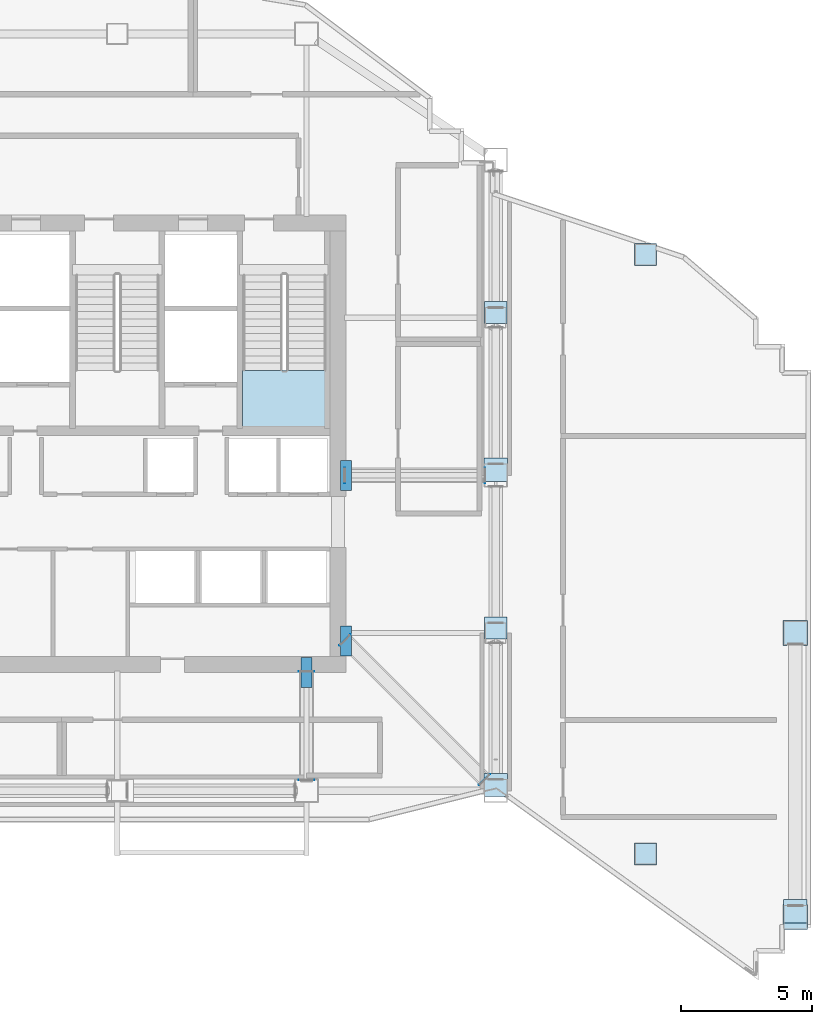
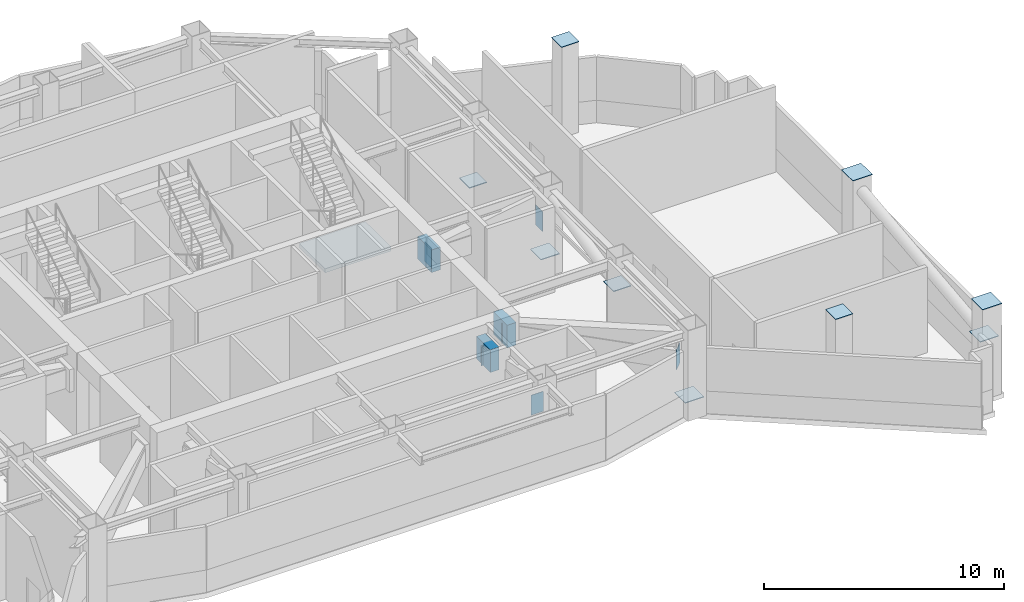
# One storey, part 5 of 19: 18 plates, 1 slab, 1 element without a shape of its own.
"""IFC4 building model written with IfcOpenShell, lengths in metres."""

from ifc_helpers import new_model, si_unit, direction, frame, origin, origin_2d, place, context, subcontext, project, spatial, polyline, rectangle, outline, extrude, material, layer, layer_set, type_object, element, aggregate, save


model = new_model("IFC4")

# Units and contexts
model_context = context("Model", 3, precision=1e-05, world=origin(), true_north=direction((0.0, 1.0)))
body_context = subcontext(model_context, "Body", "Model", "MODEL_VIEW")
ifc_project = project(units=[si_unit("LENGTHUNIT", "METRE"), si_unit("AREAUNIT", "SQUARE_METRE"), si_unit("VOLUMEUNIT", "CUBIC_METRE"), si_unit("PLANEANGLEUNIT", "RADIAN"), si_unit("MASSUNIT", "GRAM", prefix="KILO")], contexts=[model_context])

# Site, building, storey
site_placement = place(None, origin())
site = spatial("IfcSite", under=ifc_project, at=site_placement, CompositionType="ELEMENT")
building_placement = place(site_placement, origin())
building = spatial("IfcBuilding", under=site, at=building_placement, Name="Haolan Belvedere Tower", CompositionType="ELEMENT")
storey_placement = place(building_placement, frame((0.0, 0.0, 230.60009765625)))
storey = spatial("IfcBuildingStorey", under=building, at=storey_placement, Name="L58", CompositionType="ELEMENT", Elevation=230.60009765625)

# Plates
ifc_material_1 = material(Name="Steel Q355B", Category="steel")
ifc_layer_1 = layer(ifc_material_1, 0.02490234375, Name="Steel Q355B")
ifc_layer_set_1 = layer_set([ifc_layer_1], Name="Steel Q355B")
plate_type_1 = type_object("IfcPlateType", Name="PL-CAP-25", PredefinedType="SHEET", material=ifc_layer_set_1)
for number, where, z_axis, x_axis, name in (
    (1, (64.199951171875, 16.800048828125, 4.599853515625), (0.0, 0.0, 1.0), (1.0, 0.0, 0.0), "Hollow steel end-cap plate COL-L58-MC-T4-SE-TCAP"),
    (2, (64.199951171875, 27.60009765625, 4.599853515625), (0.0, 0.0, 1.0), (1.0, 0.0, 0.0), "Hollow steel end-cap plate COL-L58-MC-T4-ME-TCAP"),
):
    element("IfcPlate", number, at=place(storey_placement, frame(where, z_axis=z_axis, x_axis=x_axis)), inside=storey, type_object=plate_type_1, Name=name, PredefinedType="SHEET", context=body_context, shape_type="SweptSolid", body=[
        extrude(rectangle(XDim=0.93994140625, YDim=0.93994140625, at=origin_2d()), origin(), (0.0, 0.0, 1.0), 0.02490234375),
    ])
for number, where, z_axis, x_axis, name in (
    (3, (58.5, 19.199951171875, 4.599853515625), (0.0, 0.0, 1.0), (1.0, 0.0, 0.0), "Hollow steel end-cap plate COL-L58-TC-T4-S1-TCAP"),
    (4, (58.5, 42.0, 4.599853515625), (0.0, 0.0, 1.0), (1.0, 0.0, 0.0), "Hollow steel end-cap plate COL-L58-TC-T4-N1-TCAP"),
):
    element("IfcPlate", number, at=place(storey_placement, frame(where, z_axis=z_axis, x_axis=x_axis)), inside=storey, type_object=plate_type_1, Name=name, PredefinedType="SHEET", context=body_context, shape_type="SweptSolid", body=[
        extrude(rectangle(XDim=0.840087890625, YDim=0.840087890625, at=origin_2d()), origin(), (0.0, 0.0, 1.0), 0.02490234375),
    ])
for number, where, z_axis, x_axis, name in (
    (5, (47.0576171875, 33.60009765625, 2.27490234375), (0.0, 0.0, 1.0), (0.0, -1.0, 0.0), "Hollow steel end-cap plate OR-E1-L58-BC-CAP0"),
    (6, (52.392578125, 33.60009765625, 2.27490234375), (0.0, 0.0, 1.0), (0.0, 1.0, 0.0), "Hollow steel end-cap plate OR-E1-L58-BC-CAP1"),
    (7, (47.070068359375, 27.330078125, 2.27490234375), (0.0, 0.0, 1.0), (-0.707106781187, -0.707106781187, 0.0), "Hollow steel end-cap plate OR-E2-L58-BC-CAP0"),
    (8, (52.380126953125, 22.02001953125, 2.27490234375), (0.0, 0.0, 1.0), (0.707106781187, 0.707106781187, 0.0), "Hollow steel end-cap plate OR-E2-L58-BC-CAP1"),
    (9, (45.60009765625, 26.142578125, 2.27490234375), (0.0, 0.0, 1.0), (-1.0, 0.0, 0.0), "Hollow steel end-cap plate OR-S2-L58-BC-CAP0"),
    (10, (45.60009765625, 22.007568359375, 2.27490234375), (0.0, 0.0, 1.0), (1.0, 0.0, 0.0), "Hollow steel end-cap plate OR-S2-L58-BC-CAP1"),
):
    element("IfcPlate", number, at=place(storey_placement, frame(where, z_axis=z_axis, x_axis=x_axis)), inside=storey, type_object=plate_type_1, Name=name, PredefinedType="SHEET", context=body_context, shape_type="SweptSolid", body=[
        extrude(rectangle(XDim=0.590087890625, YDim=0.02490234375, at=origin_2d()), origin(), (0.0, 0.0, 1.0), 1.010009765625),
    ])
ifc_material_2 = material(Name="Steel Q420GJC", Category="steel")
ifc_layer_2 = layer(ifc_material_2, 0.0400390625, Name="Steel Q420GJC")
ifc_layer_set_2 = layer_set([ifc_layer_2], Name="Steel Q420GJC")
plate_type_2 = type_object("IfcPlateType", Name="PL-NODE-NP02", PredefinedType="USERDEFINED", material=ifc_layer_set_2)
for number, where, z_axis, x_axis, name in (
    (11, (47.10009765625, 33.60009765625, 2.27490234375), (0.0, 0.0, 1.0), (1.0, 0.0, 0.0), "NP-02 outrigger truss core-wall cast-in node plate L58 OR-E1"),
    (12, (47.10009765625, 27.300048828125, 2.27490234375), (0.0, 0.0, 1.0), (1.0, 0.0, 0.0), "NP-02 outrigger truss core-wall cast-in node plate L58 OR-E2"),
    (13, (45.60009765625, 26.10009765625, 2.27490234375), (0.0, 0.0, 1.0), (1.0, 0.0, 0.0), "NP-02 outrigger truss core-wall cast-in node plate L58 OR-S2"),
):
    element("IfcPlate", number, at=place(storey_placement, frame(where, z_axis=z_axis, x_axis=x_axis)), inside=storey, type_object=plate_type_2, Name=name, ObjectType="GUSSET", PredefinedType="USERDEFINED", context=body_context, shape_type="SweptSolid", body=[
        extrude(rectangle(XDim=0.419921875, YDim=1.14990234375, at=origin_2d()), origin(), (0.0, 0.0, 1.0), 1.14990234375),
    ])
ifc_material_3 = material(Name="Steel Q390GJC", Category="steel")
ifc_layer_3 = layer(ifc_material_3, 0.035888671875, Name="Steel Q390GJC")
ifc_layer_set_3 = layer_set([ifc_layer_3], Name="Steel Q390GJC")
plate_type_3 = type_object("IfcPlateType", Name="PL-NODE-NP03", PredefinedType="USERDEFINED", material=ifc_layer_set_3)
plate_1_placement = place(storey_placement, frame((52.800048828125, 21.820068359375, 0.78173828125), z_axis=(0.0, 0.0, 1.0), x_axis=(1.0, 0.0, 0.0)))
element("IfcPlate", 14, at=plate_1_placement, inside=storey, type_object=plate_type_3, Name="NP-03 belt truss node plate L58 BT-E1", ObjectType="GUSSET", PredefinedType="USERDEFINED", context=body_context, shape_type="SweptSolid", body=[
    extrude(rectangle(XDim=0.889892578125, YDim=0.889892578125, at=origin_2d()), origin(), (0.0, 0.0, 1.0), 0.035888671875),
])
plate_2_placement = place(storey_placement, frame((52.800048828125, 27.794921875, 2.8017578125), z_axis=(0.0, 0.0, 1.0), x_axis=(1.0, 0.0, 0.0)))
element("IfcPlate", 15, at=plate_2_placement, inside=storey, type_object=plate_type_3, Name="NP-03 belt truss node plate L58 BT-E2", ObjectType="GUSSET", PredefinedType="USERDEFINED", context=body_context, shape_type="SweptSolid", body=[
    extrude(rectangle(XDim=0.840087890625, YDim=0.840087890625, at=origin_2d()), origin(), (0.0, 0.0, 1.0), 0.035888671875),
])
plate_3_placement = place(storey_placement, frame((52.800048828125, 33.820068359375, 0.78173828125), z_axis=(0.0, 0.0, 1.0), x_axis=(1.0, 0.0, 0.0)))
element("IfcPlate", 16, at=plate_3_placement, inside=storey, type_object=plate_type_3, Name="NP-03 belt truss node plate L58 BT-E3", ObjectType="GUSSET", PredefinedType="USERDEFINED", context=body_context, shape_type="SweptSolid", body=[
    extrude(rectangle(XDim=0.889892578125, YDim=0.889892578125, at=origin_2d()), origin(), (0.0, 0.0, 1.0), 0.035888671875),
])
plate_4_placement = place(storey_placement, frame((52.800048828125, 39.794921875, 0.78173828125), z_axis=(0.0, 0.0, 1.0), x_axis=(1.0, 0.0, 0.0)))
element("IfcPlate", 17, at=plate_4_placement, inside=storey, type_object=plate_type_3, Name="NP-03 belt truss node plate L58 BT-E4", ObjectType="GUSSET", PredefinedType="USERDEFINED", context=body_context, shape_type="SweptSolid", body=[
    extrude(rectangle(XDim=0.840087890625, YDim=0.840087890625, at=origin_2d()), origin(), (0.0, 0.0, 1.0), 0.035888671875),
])
plate_5_placement = place(storey_placement, frame((64.199951171875, 17.02001953125, 2.8017578125), z_axis=(0.0, 0.0, 1.0), x_axis=(1.0, 0.0, 0.0)))
element("IfcPlate", 18, at=plate_5_placement, inside=storey, type_object=plate_type_3, Name="NP-03 belt truss node plate L58 BT-T4", ObjectType="GUSSET", PredefinedType="USERDEFINED", context=body_context, shape_type="SweptSolid", body=[
    extrude(rectangle(XDim=0.889892578125, YDim=0.889892578125, at=origin_2d()), origin(), (0.0, 0.0, 1.0), 0.035888671875),
])

# Stair, slab
ifc_material_4 = material(Name="Concrete C40/50", Category="concrete")
stair_type = type_object("IfcStairType", Name="STR-DL-28R-164", PredefinedType="HALF_TURN_STAIR", material=ifc_material_4)
stair_placement = place(storey_placement, origin())
stair = element("IfcStair", 19, at=stair_placement, inside=storey, type_object=stair_type, Name="L58 Smokeproof Core Exit Stair ST2", PredefinedType="HALF_TURN_STAIR")
ifc_layer_4 = layer(ifc_material_4, 0.199951171875, Name="Concrete C40/50")
ifc_layer_set_4 = layer_set([ifc_layer_4], Name="Concrete C40/50")
slab_type = type_object("IfcSlabType", Name="SL-LAND-200", PredefinedType="LANDING", material=ifc_layer_set_4)
slab_placement = place(storey_placement, frame((0.0, 0.0, 2.099853515625)))
slab = element("IfcSlab", 20, at=slab_placement, type_object=slab_type, Name="ST2 landing 1", PredefinedType="LANDING", context=body_context, shape_type="SweptSolid", body=[
    extrude(outline(polyline([(43.169921875, 37.590087890625), (43.169921875, 35.449951171875), (46.35009765625, 35.449951171875), (46.35009765625, 37.590087890625), (43.169921875, 37.590087890625)])), origin(), (0.0, 0.0, 1.0), 0.199951171875),
])
aggregate(stair, [slab])

save(model, "model.ifc")
